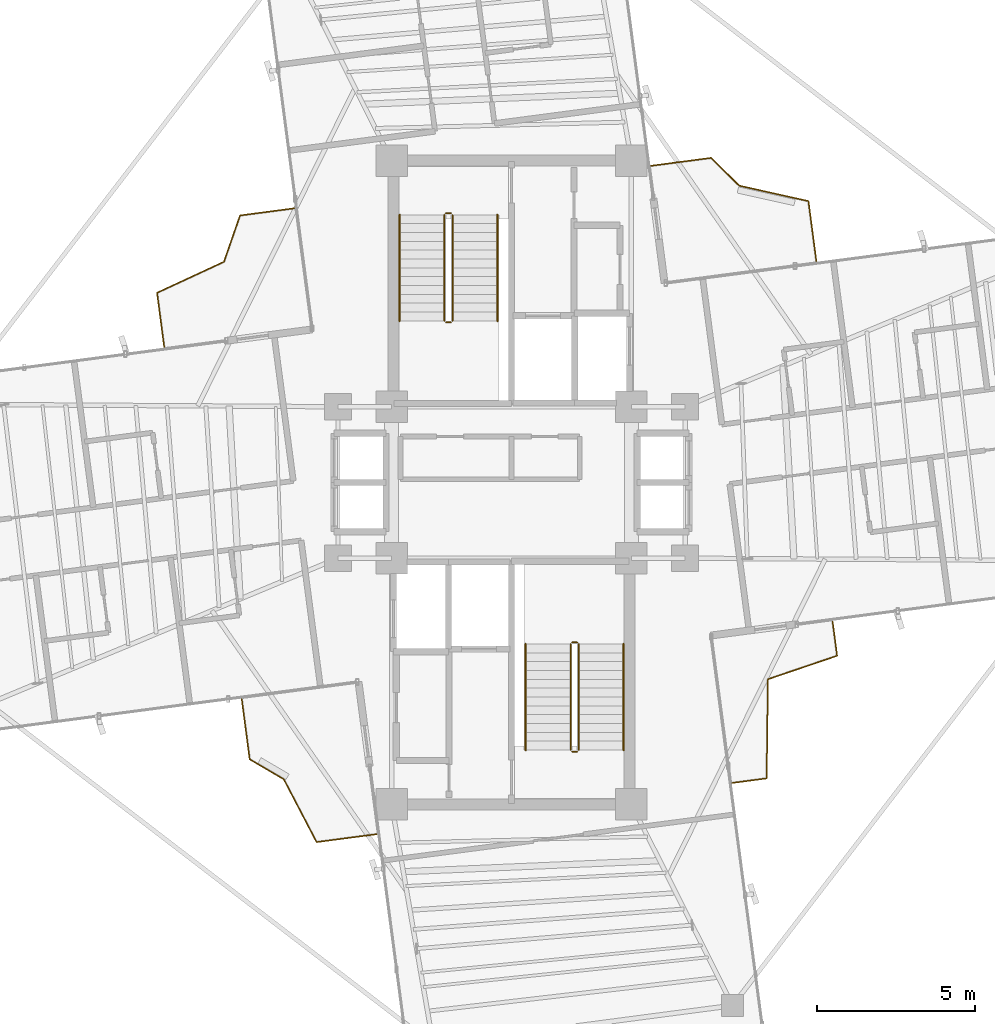
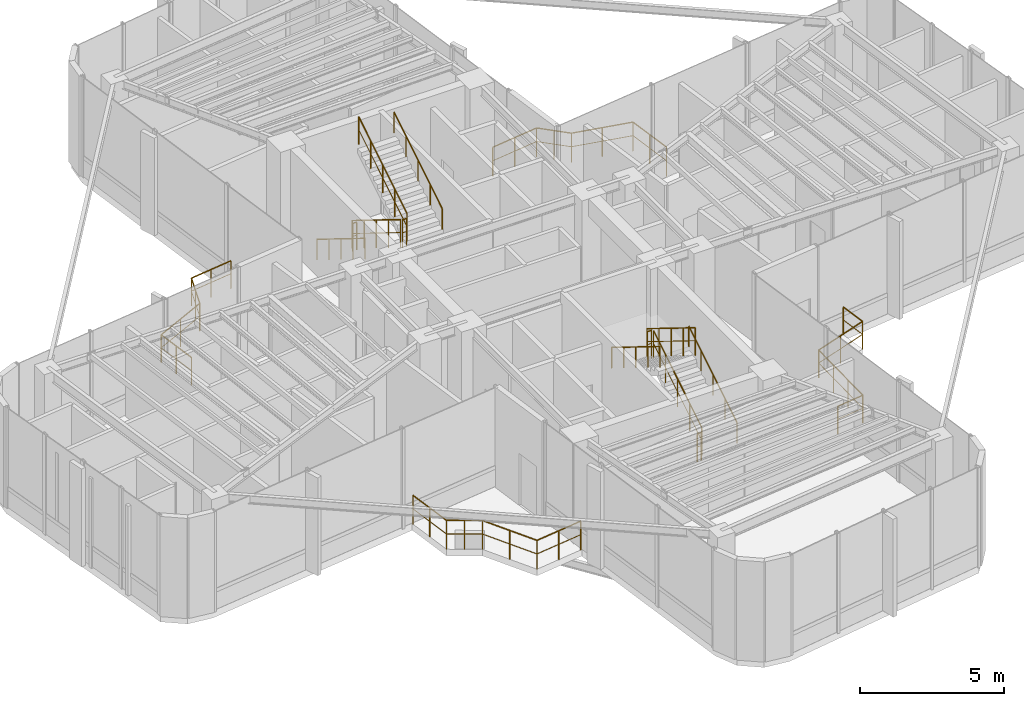
# One storey, part 20 of 20: 16 railings.
"""IFC4 building model written with IfcOpenShell, lengths in metres."""

from ifc_helpers import new_model, si_unit, direction, frame, origin, origin_2d, place, context, subcontext, project, spatial, circle, extrude, material, type_object, element, save


model = new_model("IFC4")

# Units and contexts
model_context = context("Model", 3, precision=1e-05, world=origin(), true_north=direction((0.0, 1.0)))
body_context = subcontext(model_context, "Body", "Model", "MODEL_VIEW")
ifc_project = project(units=[si_unit("LENGTHUNIT", "METRE"), si_unit("AREAUNIT", "SQUARE_METRE"), si_unit("VOLUMEUNIT", "CUBIC_METRE"), si_unit("PLANEANGLEUNIT", "RADIAN"), si_unit("MASSUNIT", "GRAM", prefix="KILO")], contexts=[model_context])

# Site, building, storey
site_placement = place(None, origin())
site = spatial("IfcSite", under=ifc_project, at=site_placement, CompositionType="ELEMENT")
building_placement = place(site_placement, origin())
building = spatial("IfcBuilding", under=site, at=building_placement, Name="Sahyath Konkavel Grand Hotel", CompositionType="ELEMENT")
storey_placement = place(building_placement, frame((0.0, 0.0, 229.949951171875)))
storey = spatial("IfcBuildingStorey", under=building, at=storey_placement, Name="L64", CompositionType="ELEMENT", Elevation=229.949951171875)

# Railings
ifc_material_1 = material(Name="Anodised Bronze Aluminium", Category="aluminium")
railing_type_1 = type_object("IfcRailingType", Name="RLG-BALC-1200", PredefinedType="GUARDRAIL", material=ifc_material_1)
railing_1_placement = place(storey_placement, frame((-6.885986328125, 8.688720703125, 0.0)))
element("IfcRailing", 1, at=railing_1_placement, inside=storey, type_object=railing_type_1, Name="L64 Winter-Garden Guard NW", PredefinedType="GUARDRAIL", context=body_context, shape_type="SweptSolid", body=[
    extrude(circle(Radius=0.02392578125, at=origin_2d()), frame((-0.001953125, -0.000244140625, 1.17578125), z_axis=(-0.991434623147, -0.130603935719, 0.0), x_axis=(0.130603935719, -0.991434623147, 0.0)), (0.0, 0.0, 1.0), 1.728759765625),
    extrude(circle(Radius=0.01416015625, at=origin_2d()), frame((-0.001953125, -0.000244140625, 0.6240234375), z_axis=(-0.991434623147, -0.130603935719, 0.0), x_axis=(0.130603935719, -0.991434623147, 0.0)), (0.0, 0.0, 1.0), 1.728759765625),
    extrude(circle(Radius=0.02392578125, at=origin_2d()), frame((-1.71875, -0.228271484375, 1.17578125), z_axis=(-0.327789859779, -0.944750659077, 0.0), x_axis=(0.944750659077, -0.327789859779, 0.0)), (0.0, 0.0, 1.0), 1.55126953125),
    extrude(circle(Radius=0.01416015625, at=origin_2d()), frame((-1.71875, -0.228271484375, 0.6240234375), z_axis=(-0.327789859779, -0.944750659077, 0.0), x_axis=(0.944750659077, -0.327789859779, 0.0)), (0.0, 0.0, 1.0), 1.55126953125),
    extrude(circle(Radius=0.02392578125, at=origin_2d()), frame((-2.2294921875, -1.6962890625, 1.17578125), z_axis=(-0.907343661898, -0.420389675437, 0.0), x_axis=(0.420389675437, -0.907343661898, 0.0)), (0.0, 0.0, 1.0), 2.332275390625),
    extrude(circle(Radius=0.01416015625, at=origin_2d()), frame((-2.2294921875, -1.6962890625, 0.6240234375), z_axis=(-0.907343661898, -0.420389675437, 0.0), x_axis=(0.420389675437, -0.907343661898, 0.0)), (0.0, 0.0, 1.0), 2.332275390625),
    extrude(circle(Radius=0.02392578125, at=origin_2d()), frame((-4.347412109375, -2.6796875, 1.17578125), z_axis=(0.130465446274, -0.991452856836, 0.0), x_axis=(0.991452856836, 0.130465446274, 0.0)), (0.0, 0.0, 1.0), 1.728759765625),
    extrude(circle(Radius=0.01416015625, at=origin_2d()), frame((-4.347412109375, -2.6796875, 0.6240234375), z_axis=(0.130465446274, -0.991452856836, 0.0), x_axis=(0.991452856836, 0.130465446274, 0.0)), (0.0, 0.0, 1.0), 1.728759765625),
    extrude(circle(Radius=0.02099609375, at=origin_2d()), origin(), (0.0, 0.0, 1.0), 1.15185546875),
    extrude(circle(Radius=0.02099609375, at=origin_2d()), frame((-0.85888671875, -0.11328125, 0.0)), (0.0, 0.0, 1.0), 1.15185546875),
    extrude(circle(Radius=0.02099609375, at=origin_2d()), frame((-1.718017578125, -0.226318359375, 0.0)), (0.0, 0.0, 1.0), 1.15185546875),
    extrude(circle(Radius=0.02099609375, at=origin_2d()), frame((-1.972900390625, -0.9609375, 0.0)), (0.0, 0.0, 1.0), 1.15185546875),
    extrude(circle(Radius=0.02099609375, at=origin_2d()), frame((-2.227783203125, -1.695556640625, 0.0)), (0.0, 0.0, 1.0), 1.15185546875),
    extrude(circle(Radius=0.02099609375, at=origin_2d()), frame((-3.28759765625, -2.1865234375, 0.0)), (0.0, 0.0, 1.0), 1.15185546875),
    extrude(circle(Radius=0.02099609375, at=origin_2d()), frame((-4.34765625, -2.677734375, 0.0)), (0.0, 0.0, 1.0), 1.15185546875),
    extrude(circle(Radius=0.02099609375, at=origin_2d()), frame((-4.234619140625, -3.53662109375, 0.0)), (0.0, 0.0, 1.0), 1.15185546875),
    extrude(circle(Radius=0.02099609375, at=origin_2d()), frame((-4.12158203125, -4.395751953125, 0.0)), (0.0, 0.0, 1.0), 1.15185546875),
])
railing_2_placement = place(storey_placement, frame((6.99560546875, -9.521484375, 0.0)))
element("IfcRailing", 2, at=railing_2_placement, inside=storey, type_object=railing_type_1, Name="L64 Winter-Garden Guard SE", PredefinedType="GUARDRAIL", context=body_context, shape_type="SweptSolid", body=[
    extrude(circle(Radius=0.02392578125, at=origin_2d()), frame((0.001953125, 0.000244140625, 1.17578125), z_axis=(0.991436143334, 0.130592395224, 0.0), x_axis=(-0.130592395224, 0.991436143334, 0.0)), (0.0, 0.0, 1.0), 1.09521484375),
    extrude(circle(Radius=0.01416015625, at=origin_2d()), frame((0.001953125, 0.000244140625, 0.6240234375), z_axis=(0.991436143334, 0.130592395224, 0.0), x_axis=(-0.130592395224, 0.991436143334, 0.0)), (0.0, 0.0, 1.0), 1.09521484375),
    extrude(circle(Radius=0.02392578125, at=origin_2d()), frame((1.08984375, 0.1455078125, 1.17578125), z_axis=(0.01305148712, 0.999914825715, 0.0), x_axis=(-0.999914825715, 0.01305148712, 0.0)), (0.0, 0.0, 1.0), 3.138671875),
    extrude(circle(Radius=0.01416015625, at=origin_2d()), frame((1.08984375, 0.1455078125, 0.6240234375), z_axis=(0.01305148712, 0.999914825715, 0.0), x_axis=(-0.999914825715, 0.01305148712, 0.0)), (0.0, 0.0, 1.0), 3.138671875),
    extrude(circle(Radius=0.02392578125, at=origin_2d()), frame((1.1328125, 3.28662109375, 1.17578125), z_axis=(0.94703543062, 0.3211290911, 0.0), x_axis=(-0.3211290911, 0.94703543062, 0.0)), (0.0, 0.0, 1.0), 2.310302734375),
    extrude(circle(Radius=0.01416015625, at=origin_2d()), frame((1.1328125, 3.28662109375, 0.6240234375), z_axis=(0.94703543062, 0.3211290911, 0.0), x_axis=(-0.3211290911, 0.94703543062, 0.0)), (0.0, 0.0, 1.0), 2.310302734375),
    extrude(circle(Radius=0.02392578125, at=origin_2d()), frame((3.322265625, 4.031005859375, 1.17578125), z_axis=(-0.130374077528, 0.991464875782, 0.0), x_axis=(-0.991464875782, -0.130374077528, 0.0)), (0.0, 0.0, 1.0), 1.09521484375),
    extrude(circle(Radius=0.01416015625, at=origin_2d()), frame((3.322265625, 4.031005859375, 0.6240234375), z_axis=(-0.130374077528, 0.991464875782, 0.0), x_axis=(-0.991464875782, -0.130374077528, 0.0)), (0.0, 0.0, 1.0), 1.09521484375),
    extrude(circle(Radius=0.02099609375, at=origin_2d()), origin(), (0.0, 0.0, 1.0), 1.15185546875),
    extrude(circle(Radius=0.02099609375, at=origin_2d()), frame((1.08984375, 0.1435546875, 0.0)), (0.0, 0.0, 1.0), 1.15185546875),
    extrude(circle(Radius=0.02099609375, at=origin_2d()), frame((1.103515625, 1.19091796875, 0.0)), (0.0, 0.0, 1.0), 1.15185546875),
    extrude(circle(Radius=0.02099609375, at=origin_2d()), frame((1.1171875, 2.238525390625, 0.0)), (0.0, 0.0, 1.0), 1.15185546875),
    extrude(circle(Radius=0.02099609375, at=origin_2d()), frame((1.130859375, 3.285888671875, 0.0)), (0.0, 0.0, 1.0), 1.15185546875),
    extrude(circle(Radius=0.02099609375, at=origin_2d()), frame((2.2265625, 3.657470703125, 0.0)), (0.0, 0.0, 1.0), 1.15185546875),
    extrude(circle(Radius=0.02099609375, at=origin_2d()), frame((3.322509765625, 4.029052734375, 0.0)), (0.0, 0.0, 1.0), 1.15185546875),
    extrude(circle(Radius=0.02099609375, at=origin_2d()), frame((3.17919921875, 5.118896484375, 0.0)), (0.0, 0.0, 1.0), 1.15185546875),
])
ifc_material_2 = material(Name="Steel E350", Category="steel")
railing_type_2 = type_object("IfcRailingType", Name="RLG-STAIR-GRD", PredefinedType="GUARDRAIL", material=ifc_material_2)
railing_3_placement = place(storey_placement, frame((-2.1298828125, 8.47998046875, 0.173095703125)))
element("IfcRailing", 3, at=railing_3_placement, inside=storey, type_object=railing_type_2, Name="L64 ST-1 stair guard 1", PredefinedType="GUARDRAIL", context=body_context, shape_type="SweptSolid", body=[
    extrude(circle(Radius=0.02392578125, at=origin_2d()), frame((0.0, -0.001708984375, 1.177001953125), z_axis=(0.0, -0.850606129759, 0.525803396734), x_axis=(1.0, 0.0, 0.0)), (0.0, 0.0, 1.0), 3.946044921875),
    extrude(circle(Radius=0.01416015625, at=origin_2d()), frame((0.0, -0.001708984375, 0.625), z_axis=(0.0, -0.850606129759, 0.525803396734), x_axis=(1.0, 0.0, 0.0)), (0.0, 0.0, 1.0), 3.946044921875),
    extrude(circle(Radius=0.02099609375, at=origin_2d()), origin(), (0.0, 0.0, 1.0), 1.15185546875),
    extrude(circle(Radius=0.02099609375, at=origin_2d()), frame((0.0, -0.83984375, 0.519287109375)), (0.0, 0.0, 1.0), 1.15185546875),
    extrude(circle(Radius=0.02099609375, at=origin_2d()), frame((0.0, -1.679931640625, 1.03857421875)), (0.0, 0.0, 1.0), 1.15185546875),
    extrude(circle(Radius=0.02099609375, at=origin_2d()), frame((0.0, -2.52001953125, 1.5576171875)), (0.0, 0.0, 1.0), 1.15185546875),
    extrude(circle(Radius=0.02099609375, at=origin_2d()), frame((0.0, -3.35986328125, 2.076904296875)), (0.0, 0.0, 1.0), 1.15185546875),
])
railing_4_placement = place(storey_placement, frame((-2.080078125, 5.070068359375, 2.25)))
element("IfcRailing", 4, at=railing_4_placement, inside=storey, type_object=railing_type_2, Name="L64 ST-1 stair guard 2", PredefinedType="GUARDRAIL", context=body_context, shape_type="SweptSolid", body=[
    extrude(circle(Radius=0.02392578125, at=origin_2d()), frame((0.001953125, 0.0, 1.17578125), z_axis=(1.0, 0.0, 0.0), x_axis=(0.0, 1.0, 0.0)), (0.0, 0.0, 1.0), 0.15625),
    extrude(circle(Radius=0.01416015625, at=origin_2d()), frame((0.001953125, 0.0, 0.6240234375), z_axis=(1.0, 0.0, 0.0), x_axis=(0.0, 1.0, 0.0)), (0.0, 0.0, 1.0), 0.15625),
    extrude(circle(Radius=0.02099609375, at=origin_2d()), origin(), (0.0, 0.0, 1.0), 1.15185546875),
    extrude(circle(Radius=0.02099609375, at=origin_2d()), frame((0.16015625, 0.0, 0.0)), (0.0, 0.0, 1.0), 1.15185546875),
])
railing_5_placement = place(storey_placement, frame((-1.8701171875, 5.1201171875, 2.423095703125)))
element("IfcRailing", 5, at=railing_5_placement, inside=storey, type_object=railing_type_2, Name="L64 ST-1 stair guard 3", PredefinedType="GUARDRAIL", context=body_context, shape_type="SweptSolid", body=[
    extrude(circle(Radius=0.02392578125, at=origin_2d()), frame((0.0, 0.001708984375, 1.177001953125), z_axis=(0.0, 0.850606129759, 0.525803396734), x_axis=(-1.0, 0.0, 0.0)), (0.0, 0.0, 1.0), 3.946044921875),
    extrude(circle(Radius=0.01416015625, at=origin_2d()), frame((0.0, 0.001708984375, 0.625), z_axis=(0.0, 0.850606129759, 0.525803396734), x_axis=(-1.0, 0.0, 0.0)), (0.0, 0.0, 1.0), 3.946044921875),
    extrude(circle(Radius=0.02099609375, at=origin_2d()), origin(), (0.0, 0.0, 1.0), 1.15185546875),
    extrude(circle(Radius=0.02099609375, at=origin_2d()), frame((0.0, 0.83984375, 0.519287109375)), (0.0, 0.0, 1.0), 1.15185546875),
    extrude(circle(Radius=0.02099609375, at=origin_2d()), frame((0.0, 1.679931640625, 1.03857421875)), (0.0, 0.0, 1.0), 1.15185546875),
    extrude(circle(Radius=0.02099609375, at=origin_2d()), frame((0.0, 2.52001953125, 1.5576171875)), (0.0, 0.0, 1.0), 1.15185546875),
    extrude(circle(Radius=0.02099609375, at=origin_2d()), frame((0.0, 3.35986328125, 2.076904296875)), (0.0, 0.0, 1.0), 1.15185546875),
])
railing_6_placement = place(storey_placement, frame((-2.080078125, 8.530029296875, 0.0)))
element("IfcRailing", 6, at=railing_6_placement, inside=storey, type_object=railing_type_2, Name="L64 ST-1 stair guard 4", PredefinedType="GUARDRAIL", context=body_context, shape_type="SweptSolid", body=[
    extrude(circle(Radius=0.02392578125, at=origin_2d()), frame((0.001953125, 0.0, 1.17578125), z_axis=(1.0, 0.0, 0.0), x_axis=(0.0, 1.0, 0.0)), (0.0, 0.0, 1.0), 0.15625),
    extrude(circle(Radius=0.01416015625, at=origin_2d()), frame((0.001953125, 0.0, 0.6240234375), z_axis=(1.0, 0.0, 0.0), x_axis=(0.0, 1.0, 0.0)), (0.0, 0.0, 1.0), 0.15625),
    extrude(circle(Radius=0.02099609375, at=origin_2d()), origin(), (0.0, 0.0, 1.0), 1.15185546875),
    extrude(circle(Radius=0.02099609375, at=origin_2d()), frame((0.16015625, 0.0, 0.0)), (0.0, 0.0, 1.0), 1.15185546875),
])
railing_7_placement = place(storey_placement, frame((2.1298828125, -8.47998046875, 0.173095703125)))
element("IfcRailing", 7, at=railing_7_placement, inside=storey, type_object=railing_type_2, Name="L64 ST-2 stair guard 1", PredefinedType="GUARDRAIL", context=body_context, shape_type="SweptSolid", body=[
    extrude(circle(Radius=0.02392578125, at=origin_2d()), frame((0.0, 0.001708984375, 1.177001953125), z_axis=(0.0, 0.850606129759, 0.525803396734), x_axis=(-1.0, 0.0, 0.0)), (0.0, 0.0, 1.0), 3.946044921875),
    extrude(circle(Radius=0.01416015625, at=origin_2d()), frame((0.0, 0.001708984375, 0.625), z_axis=(0.0, 0.850606129759, 0.525803396734), x_axis=(-1.0, 0.0, 0.0)), (0.0, 0.0, 1.0), 3.946044921875),
    extrude(circle(Radius=0.02099609375, at=origin_2d()), origin(), (0.0, 0.0, 1.0), 1.15185546875),
    extrude(circle(Radius=0.02099609375, at=origin_2d()), frame((0.0, 0.83984375, 0.519287109375)), (0.0, 0.0, 1.0), 1.15185546875),
    extrude(circle(Radius=0.02099609375, at=origin_2d()), frame((0.0, 1.679931640625, 1.03857421875)), (0.0, 0.0, 1.0), 1.15185546875),
    extrude(circle(Radius=0.02099609375, at=origin_2d()), frame((0.0, 2.52001953125, 1.5576171875)), (0.0, 0.0, 1.0), 1.15185546875),
    extrude(circle(Radius=0.02099609375, at=origin_2d()), frame((0.0, 3.35986328125, 2.076904296875)), (0.0, 0.0, 1.0), 1.15185546875),
])
railing_8_placement = place(storey_placement, frame((2.080078125, -5.070068359375, 2.25)))
element("IfcRailing", 8, at=railing_8_placement, inside=storey, type_object=railing_type_2, Name="L64 ST-2 stair guard 2", PredefinedType="GUARDRAIL", context=body_context, shape_type="SweptSolid", body=[
    extrude(circle(Radius=0.02392578125, at=origin_2d()), frame((-0.001953125, 0.0, 1.17578125), z_axis=(-1.0, 0.0, 0.0), x_axis=(0.0, -1.0, 0.0)), (0.0, 0.0, 1.0), 0.15625),
    extrude(circle(Radius=0.01416015625, at=origin_2d()), frame((-0.001953125, 0.0, 0.6240234375), z_axis=(-1.0, 0.0, 0.0), x_axis=(0.0, -1.0, 0.0)), (0.0, 0.0, 1.0), 0.15625),
    extrude(circle(Radius=0.02099609375, at=origin_2d()), origin(), (0.0, 0.0, 1.0), 1.15185546875),
    extrude(circle(Radius=0.02099609375, at=origin_2d()), frame((-0.16015625, 0.0, 0.0)), (0.0, 0.0, 1.0), 1.15185546875),
])
railing_9_placement = place(storey_placement, frame((1.8701171875, -5.1201171875, 2.423095703125)))
element("IfcRailing", 9, at=railing_9_placement, inside=storey, type_object=railing_type_2, Name="L64 ST-2 stair guard 3", PredefinedType="GUARDRAIL", context=body_context, shape_type="SweptSolid", body=[
    extrude(circle(Radius=0.02392578125, at=origin_2d()), frame((0.0, -0.001708984375, 1.177001953125), z_axis=(0.0, -0.850606129759, 0.525803396734), x_axis=(1.0, 0.0, 0.0)), (0.0, 0.0, 1.0), 3.946044921875),
    extrude(circle(Radius=0.01416015625, at=origin_2d()), frame((0.0, -0.001708984375, 0.625), z_axis=(0.0, -0.850606129759, 0.525803396734), x_axis=(1.0, 0.0, 0.0)), (0.0, 0.0, 1.0), 3.946044921875),
    extrude(circle(Radius=0.02099609375, at=origin_2d()), origin(), (0.0, 0.0, 1.0), 1.15185546875),
    extrude(circle(Radius=0.02099609375, at=origin_2d()), frame((0.0, -0.83984375, 0.519287109375)), (0.0, 0.0, 1.0), 1.15185546875),
    extrude(circle(Radius=0.02099609375, at=origin_2d()), frame((0.0, -1.679931640625, 1.03857421875)), (0.0, 0.0, 1.0), 1.15185546875),
    extrude(circle(Radius=0.02099609375, at=origin_2d()), frame((0.0, -2.52001953125, 1.5576171875)), (0.0, 0.0, 1.0), 1.15185546875),
    extrude(circle(Radius=0.02099609375, at=origin_2d()), frame((0.0, -3.35986328125, 2.076904296875)), (0.0, 0.0, 1.0), 1.15185546875),
])
railing_10_placement = place(storey_placement, frame((2.080078125, -8.530029296875, 0.0)))
element("IfcRailing", 10, at=railing_10_placement, inside=storey, type_object=railing_type_2, Name="L64 ST-2 stair guard 4", PredefinedType="GUARDRAIL", context=body_context, shape_type="SweptSolid", body=[
    extrude(circle(Radius=0.02392578125, at=origin_2d()), frame((-0.001953125, 0.0, 1.17578125), z_axis=(-1.0, 0.0, 0.0), x_axis=(0.0, -1.0, 0.0)), (0.0, 0.0, 1.0), 0.15625),
    extrude(circle(Radius=0.01416015625, at=origin_2d()), frame((-0.001953125, 0.0, 0.6240234375), z_axis=(-1.0, 0.0, 0.0), x_axis=(0.0, -1.0, 0.0)), (0.0, 0.0, 1.0), 0.15625),
    extrude(circle(Radius=0.02099609375, at=origin_2d()), origin(), (0.0, 0.0, 1.0), 1.15185546875),
    extrude(circle(Radius=0.02099609375, at=origin_2d()), frame((-0.16015625, 0.0, 0.0)), (0.0, 0.0, 1.0), 1.15185546875),
])
railing_type_3 = type_object("IfcRailingType", Name="RLG-STAIR-HND", PredefinedType="HANDRAIL", material=ifc_material_1)
railing_11_placement = place(storey_placement, frame((-3.550048828125, 8.47998046875, 0.173095703125)))
element("IfcRailing", 11, at=railing_11_placement, inside=storey, type_object=railing_type_3, Name="L64 ST-1 stair handrail 1", PredefinedType="HANDRAIL", context=body_context, shape_type="SweptSolid", body=[
    extrude(circle(Radius=0.02392578125, at=origin_2d()), frame((0.0, -0.001708984375, 0.876953125), z_axis=(0.0, -0.850606129759, 0.525803396734), x_axis=(1.0, 0.0, 0.0)), (0.0, 0.0, 1.0), 3.946044921875),
    extrude(circle(Radius=0.02099609375, at=origin_2d()), origin(), (0.0, 0.0, 1.0), 0.851806640625),
    extrude(circle(Radius=0.02099609375, at=origin_2d()), frame((0.0, -0.83984375, 0.519287109375)), (0.0, 0.0, 1.0), 0.851806640625),
    extrude(circle(Radius=0.02099609375, at=origin_2d()), frame((0.0, -1.679931640625, 1.03857421875)), (0.0, 0.0, 1.0), 0.851806640625),
    extrude(circle(Radius=0.02099609375, at=origin_2d()), frame((0.0, -2.52001953125, 1.5576171875)), (0.0, 0.0, 1.0), 0.851806640625),
    extrude(circle(Radius=0.02099609375, at=origin_2d()), frame((0.0, -3.35986328125, 2.076904296875)), (0.0, 0.0, 1.0), 0.851806640625),
])
for number, where, name in (
    (12, (-0.449951171875, 5.1201171875, 2.423095703125), "L64 ST-1 stair handrail 2"),
    (13, (3.550048828125, -8.47998046875, 0.173095703125), "L64 ST-2 stair handrail 1"),
):
    element("IfcRailing", number, at=place(storey_placement, frame(where)), inside=storey, type_object=railing_type_3, Name=name, PredefinedType="HANDRAIL", context=body_context, shape_type="SweptSolid", body=[
        extrude(circle(Radius=0.02392578125, at=origin_2d()), frame((0.0, 0.001708984375, 0.876953125), z_axis=(0.0, 0.850606129759, 0.525803396734), x_axis=(-1.0, 0.0, 0.0)), (0.0, 0.0, 1.0), 3.946044921875),
        extrude(circle(Radius=0.02099609375, at=origin_2d()), origin(), (0.0, 0.0, 1.0), 0.851806640625),
        extrude(circle(Radius=0.02099609375, at=origin_2d()), frame((0.0, 0.83984375, 0.519287109375)), (0.0, 0.0, 1.0), 0.851806640625),
        extrude(circle(Radius=0.02099609375, at=origin_2d()), frame((0.0, 1.679931640625, 1.03857421875)), (0.0, 0.0, 1.0), 0.851806640625),
        extrude(circle(Radius=0.02099609375, at=origin_2d()), frame((0.0, 2.52001953125, 1.5576171875)), (0.0, 0.0, 1.0), 0.851806640625),
        extrude(circle(Radius=0.02099609375, at=origin_2d()), frame((0.0, 3.35986328125, 2.076904296875)), (0.0, 0.0, 1.0), 0.851806640625),
    ])
railing_12_placement = place(storey_placement, frame((0.449951171875, -5.1201171875, 2.423095703125)))
element("IfcRailing", 14, at=railing_12_placement, inside=storey, type_object=railing_type_3, Name="L64 ST-2 stair handrail 2", PredefinedType="HANDRAIL", context=body_context, shape_type="SweptSolid", body=[
    extrude(circle(Radius=0.02392578125, at=origin_2d()), frame((0.0, -0.001708984375, 0.876953125), z_axis=(0.0, -0.850606129759, 0.525803396734), x_axis=(1.0, 0.0, 0.0)), (0.0, 0.0, 1.0), 3.946044921875),
    extrude(circle(Radius=0.02099609375, at=origin_2d()), origin(), (0.0, 0.0, 1.0), 0.851806640625),
    extrude(circle(Radius=0.02099609375, at=origin_2d()), frame((0.0, -0.83984375, 0.519287109375)), (0.0, 0.0, 1.0), 0.851806640625),
    extrude(circle(Radius=0.02099609375, at=origin_2d()), frame((0.0, -1.679931640625, 1.03857421875)), (0.0, 0.0, 1.0), 0.851806640625),
    extrude(circle(Radius=0.02099609375, at=origin_2d()), frame((0.0, -2.52001953125, 1.5576171875)), (0.0, 0.0, 1.0), 0.851806640625),
    extrude(circle(Radius=0.02099609375, at=origin_2d()), frame((0.0, -3.35986328125, 2.076904296875)), (0.0, 0.0, 1.0), 0.851806640625),
])
ifc_material_3 = material(Name="Warm Buff Sandstone & Bronze Balustrade", Category="masonry")
railing_type_4 = type_object("IfcRailingType", Name="RLG-TERR-1250", PredefinedType="BALUSTRADE", material=ifc_material_3)
railing_13_placement = place(storey_placement, frame((9.66015625, 7.013916015625, 0.0)))
element("IfcRailing", 15, at=railing_13_placement, inside=storey, type_object=railing_type_4, Name="L64 Sky-Garden Balustrade NE", PredefinedType="BALUSTRADE", context=body_context, shape_type="SweptSolid", body=[
    extrude(circle(Radius=0.02392578125, at=origin_2d()), frame((-0.000244140625, 0.001953125, 1.22607421875), z_axis=(-0.13058937133, 0.991436541638, 0.0), x_axis=(-0.991436541638, -0.13058937133, 0.0)), (0.0, 0.0, 1.0), 1.916015625),
    extrude(circle(Radius=0.01416015625, at=origin_2d()), frame((-0.000244140625, 0.001953125, 0.64990234375), z_axis=(-0.13058937133, 0.991436541638, 0.0), x_axis=(-0.991436541638, -0.13058937133, 0.0)), (0.0, 0.0, 1.0), 1.916015625),
    extrude(circle(Radius=0.02392578125, at=origin_2d()), frame((-0.252685546875, 1.904052734375, 1.22607421875), z_axis=(-0.97610770941, 0.217287228409, 0.0), x_axis=(-0.217287228409, -0.97610770941, 0.0)), (0.0, 0.0, 1.0), 2.241943359375),
    extrude(circle(Radius=0.01416015625, at=origin_2d()), frame((-0.252685546875, 1.904052734375, 0.64990234375), z_axis=(-0.97610770941, 0.217287228409, 0.0), x_axis=(-0.217287228409, -0.97610770941, 0.0)), (0.0, 0.0, 1.0), 2.241943359375),
    extrude(circle(Radius=0.02392578125, at=origin_2d()), frame((-2.444580078125, 2.39306640625, 1.22607421875), z_axis=(-0.711666426747, 0.702517542159, 0.0), x_axis=(-0.702517542159, -0.711666426747, 0.0)), (0.0, 0.0, 1.0), 1.250244140625),
    extrude(circle(Radius=0.01416015625, at=origin_2d()), frame((-2.444580078125, 2.39306640625, 0.64990234375), z_axis=(-0.711666426747, 0.702517542159, 0.0), x_axis=(-0.702517542159, -0.711666426747, 0.0)), (0.0, 0.0, 1.0), 1.250244140625),
    extrude(circle(Radius=0.02392578125, at=origin_2d()), frame((-3.337646484375, 3.2724609375, 1.22607421875), z_axis=(-0.991436541638, -0.13058937133, 0.0), x_axis=(0.13058937133, -0.991436541638, 0.0)), (0.0, 0.0, 1.0), 1.916015625),
    extrude(circle(Radius=0.01416015625, at=origin_2d()), frame((-3.337646484375, 3.2724609375, 0.64990234375), z_axis=(-0.991436541638, -0.13058937133, 0.0), x_axis=(0.13058937133, -0.991436541638, 0.0)), (0.0, 0.0, 1.0), 1.916015625),
    extrude(circle(Radius=0.02099609375, at=origin_2d()), origin(), (0.0, 0.0, 1.0), 1.201904296875),
    extrude(circle(Radius=0.02099609375, at=origin_2d()), frame((-0.12548828125, 0.95166015625, 0.0)), (0.0, 0.0, 1.0), 1.201904296875),
    extrude(circle(Radius=0.02099609375, at=origin_2d()), frame((-0.250732421875, 1.903564453125, 0.0)), (0.0, 0.0, 1.0), 1.201904296875),
    extrude(circle(Radius=0.02099609375, at=origin_2d()), frame((-1.346923828125, 2.1474609375, 0.0)), (0.0, 0.0, 1.0), 1.201904296875),
    extrude(circle(Radius=0.02099609375, at=origin_2d()), frame((-2.443115234375, 2.3916015625, 0.0)), (0.0, 0.0, 1.0), 1.201904296875),
    extrude(circle(Radius=0.02099609375, at=origin_2d()), frame((-2.889404296875, 2.83203125, 0.0)), (0.0, 0.0, 1.0), 1.201904296875),
    extrude(circle(Radius=0.02099609375, at=origin_2d()), frame((-3.335693359375, 3.272705078125, 0.0)), (0.0, 0.0, 1.0), 1.201904296875),
    extrude(circle(Radius=0.02099609375, at=origin_2d()), frame((-4.28759765625, 3.1474609375, 0.0)), (0.0, 0.0, 1.0), 1.201904296875),
    extrude(circle(Radius=0.02099609375, at=origin_2d()), frame((-5.2392578125, 3.02197265625, 0.0)), (0.0, 0.0, 1.0), 1.201904296875),
])
railing_14_placement = place(storey_placement, frame((-8.5498046875, -6.86767578125, 0.0)))
element("IfcRailing", 16, at=railing_14_placement, inside=storey, type_object=railing_type_4, Name="L64 Sky-Garden Balustrade SW", PredefinedType="BALUSTRADE", context=body_context, shape_type="SweptSolid", body=[
    extrude(circle(Radius=0.02392578125, at=origin_2d()), frame((0.000244140625, -0.001953125, 1.22607421875), z_axis=(0.13058937133, -0.991436541638, 0.0), x_axis=(0.991436541638, 0.13058937133, 0.0)), (0.0, 0.0, 1.0), 1.916015625),
    extrude(circle(Radius=0.01416015625, at=origin_2d()), frame((0.000244140625, -0.001953125, 0.64990234375), z_axis=(0.13058937133, -0.991436541638, 0.0), x_axis=(0.991436541638, 0.13058937133, 0.0)), (0.0, 0.0, 1.0), 1.916015625),
    extrude(circle(Radius=0.02392578125, at=origin_2d()), frame((0.25244140625, -1.904541015625, 1.22607421875), z_axis=(0.862703826867, -0.50570950862, 0.0), x_axis=(0.50570950862, 0.862703826867, 0.0)), (0.0, 0.0, 1.0), 1.250244140625),
    extrude(circle(Radius=0.01416015625, at=origin_2d()), frame((0.25244140625, -1.904541015625, 0.64990234375), z_axis=(0.862703826867, -0.50570950862, 0.0), x_axis=(0.50570950862, 0.862703826867, 0.0)), (0.0, 0.0, 1.0), 1.250244140625),
    extrude(circle(Radius=0.02392578125, at=origin_2d()), frame((1.333740234375, -2.53955078125, 1.22607421875), z_axis=(0.462495426432, -0.886621667076, 0.0), x_axis=(0.886621667076, 0.462495426432, 0.0)), (0.0, 0.0, 1.0), 2.2421875),
    extrude(circle(Radius=0.01416015625, at=origin_2d()), frame((1.333740234375, -2.53955078125, 0.64990234375), z_axis=(0.462495426432, -0.886621667076, 0.0), x_axis=(0.886621667076, 0.462495426432, 0.0)), (0.0, 0.0, 1.0), 2.2421875),
    extrude(circle(Radius=0.02392578125, at=origin_2d()), frame((2.37353515625, -4.529052734375, 1.22607421875), z_axis=(0.991436541638, 0.13058937133, 0.0), x_axis=(-0.13058937133, 0.991436541638, 0.0)), (0.0, 0.0, 1.0), 1.916015625),
    extrude(circle(Radius=0.01416015625, at=origin_2d()), frame((2.37353515625, -4.529052734375, 0.64990234375), z_axis=(0.991436541638, 0.13058937133, 0.0), x_axis=(-0.13058937133, 0.991436541638, 0.0)), (0.0, 0.0, 1.0), 1.916015625),
    extrude(circle(Radius=0.02099609375, at=origin_2d()), origin(), (0.0, 0.0, 1.0), 1.201904296875),
    extrude(circle(Radius=0.02099609375, at=origin_2d()), frame((0.12548828125, -0.95166015625, 0.0)), (0.0, 0.0, 1.0), 1.201904296875),
    extrude(circle(Radius=0.02099609375, at=origin_2d()), frame((0.250732421875, -1.903564453125, 0.0)), (0.0, 0.0, 1.0), 1.201904296875),
    extrude(circle(Radius=0.02099609375, at=origin_2d()), frame((0.791748046875, -2.220703125, 0.0)), (0.0, 0.0, 1.0), 1.201904296875),
    extrude(circle(Radius=0.02099609375, at=origin_2d()), frame((1.332763671875, -2.537841796875, 0.0)), (0.0, 0.0, 1.0), 1.201904296875),
    extrude(circle(Radius=0.02099609375, at=origin_2d()), frame((1.85205078125, -3.53369140625, 0.0)), (0.0, 0.0, 1.0), 1.201904296875),
    extrude(circle(Radius=0.02099609375, at=origin_2d()), frame((2.37158203125, -4.529296875, 0.0)), (0.0, 0.0, 1.0), 1.201904296875),
    extrude(circle(Radius=0.02099609375, at=origin_2d()), frame((3.3232421875, -4.40380859375, 0.0)), (0.0, 0.0, 1.0), 1.201904296875),
    extrude(circle(Radius=0.02099609375, at=origin_2d()), frame((4.275146484375, -4.278564453125, 0.0)), (0.0, 0.0, 1.0), 1.201904296875),
])

save(model, "model.ifc")
